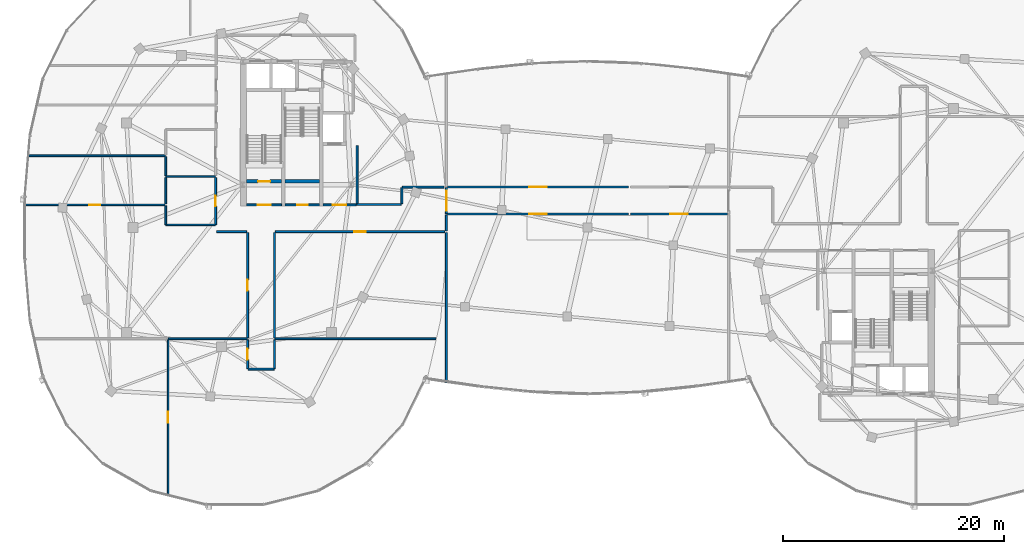
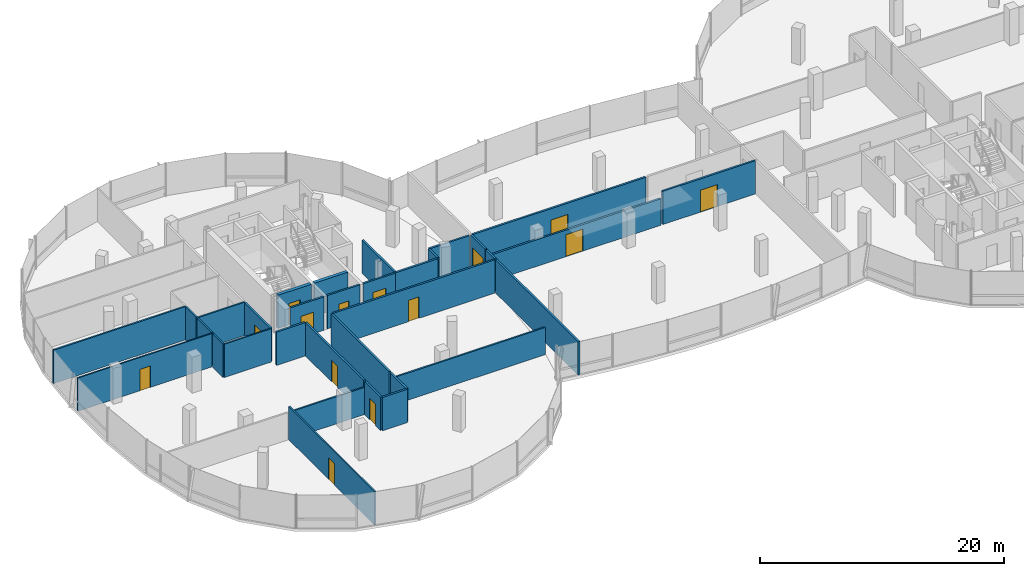
# One storey, part 14 of 25: 33 walls, 14 doors, 14 openings.
"""IFC4 building model written with IfcOpenShell, lengths in metres."""

from ifc_helpers import new_model, si_unit, direction, frame, frame_2d, origin, place, context, subcontext, project, spatial, rectangle, extrude, material, layer, layer_set, type_object, element, fill, save


model = new_model("IFC4")

# Units and contexts
model_context = context("Model", 3, precision=1e-05, world=origin(), true_north=direction((0.0, 1.0)))
body_context = subcontext(model_context, "Body", "Model", "MODEL_VIEW")
ifc_project = project(units=[si_unit("LENGTHUNIT", "METRE"), si_unit("AREAUNIT", "SQUARE_METRE"), si_unit("VOLUMEUNIT", "CUBIC_METRE"), si_unit("PLANEANGLEUNIT", "RADIAN"), si_unit("MASSUNIT", "GRAM", prefix="KILO"), si_unit("THERMODYNAMICTEMPERATUREUNIT", "KELVIN"), si_unit("POWERUNIT", "WATT")], contexts=[model_context])

# Site, building, storey
site_placement = place(None, origin())
site = spatial("IfcSite", under=ifc_project, at=site_placement, CompositionType="ELEMENT")
building_placement = place(site_placement, origin())
building = spatial("IfcBuilding", under=site, at=building_placement, Name="Cundina Bronze Exchange", CompositionType="ELEMENT")
storey_placement = place(building_placement, frame((0.0, 0.0, 254.0)))
storey = spatial("IfcBuildingStorey", under=building, at=storey_placement, Name="L67", CompositionType="ELEMENT", Elevation=254.0)

# Wall
ifc_material_1 = material(Name="Gypsum Fireboard Partition EI120")
ifc_layer_1 = layer(ifc_material_1, 0.179931640625, Name="Gypsum Fireboard Partition EI120")
ifc_layer_set_1 = layer_set([ifc_layer_1], Name="Gypsum Fireboard Partition EI120")
wall_type_1 = type_object("IfcWallType", Name="WL-COR-180", PredefinedType="PARTITIONING", material=ifc_layer_set_1)
wall_1_placement = place(storey_placement, frame((-20.889892578125, 2.14990234375, 0.0), z_axis=(0.0, 0.0, 1.0), x_axis=(0.0, 1.0, 0.0)))
element("IfcWall", 1, at=wall_1_placement, inside=storey, type_object=wall_type_1, Name="L67 W Firefighting Lobby Side Wall", PredefinedType="PARTITIONING", context=body_context, shape_type="SweptSolid", body=[
    extrude(rectangle(XDim=5.300048828125, YDim=0.179931640625, at=frame_2d((2.64990234375, 0.0))), origin(), (0.0, 0.0, 1.0), 3.340087890625),
])

# Wall, opening, door
wall_2_placement = place(storey_placement, frame((-23.97998046875, 2.06005859375, 0.0), z_axis=(0.0, 0.0, 1.0), x_axis=(1.0, 0.0, 0.0)))
wall_2 = element("IfcWall", 2, at=wall_2_placement, inside=storey, type_object=wall_type_1, Name="L67 W Firefighting Lobby Exit Wall", PredefinedType="PARTITIONING", context=body_context, shape_type="SweptSolid", body=[
    extrude(rectangle(XDim=3.0, YDim=0.179931640625, at=frame_2d((1.5, 0.0))), origin(), (0.0, 0.0, 1.0), 3.340087890625),
])
opening_1_placement = place(wall_2_placement, frame((0.89990234375, 0.0, 0.0)))
opening_1 = element("IfcOpeningElement", 3, at=opening_1_placement, cuts=wall_2, Name="Opening DF-01", PredefinedType="OPENING", context=body_context, shape_type="SweptSolid", body=[
    extrude(rectangle(XDim=1.199951171875, YDim=2.14990234375, at=frame_2d((0.60009765625, 1.074951171875))), frame((0.0, 0.099853515625, 0.0), z_axis=(0.0, -1.0, 0.0), x_axis=(1.0, 0.0, 0.0)), (0.0, 0.0, 1.0), 0.199951171875),
])
ifc_material_2 = material(Name="Steel ASTM A36 Painted", Category="steel")
door_type_1 = type_object("IfcDoorType", Name="DR-FFL-1200", OperationType="NOTDEFINED", PredefinedType="DOOR", material=ifc_material_2)
door_1_placement = place(opening_1_placement, origin())
door_1 = element("IfcDoor", 4, at=door_1_placement, inside=storey, type_object=door_type_1, Name="L67 W Firefighting Lobby Door", OperationType="SINGLE_SWING_RIGHT", OverallHeight=2.14990234375, OverallWidth=1.199951171875, PredefinedType="DOOR", context=body_context, shape_type="SweptSolid", body=[
    extrude(rectangle(XDim=1.199951171875, YDim=2.14990234375, at=frame_2d((0.60009765625, 1.074951171875))), frame((0.0, 0.02490234375, 0.0), z_axis=(0.0, -1.0, 0.0), x_axis=(1.0, 0.0, 0.0)), (0.0, 0.0, 1.0), 0.050048828125),
])
fill(opening_1, door_1)

wall_3_placement = place(storey_placement, frame((-30.89990234375, 2.06005859375, 0.0), z_axis=(0.0, 0.0, 1.0), x_axis=(1.0, 0.0, 0.0)))
wall_3 = element("IfcWall", 5, at=wall_3_placement, inside=storey, type_object=wall_type_1, Name="L67 W Stair Vestibule Exit Wall", PredefinedType="PARTITIONING", context=body_context, shape_type="SweptSolid", body=[
    extrude(rectangle(XDim=3.159912109375, YDim=0.179931640625, at=frame_2d((1.580078125, 0.0))), origin(), (0.0, 0.0, 1.0), 3.340087890625),
])
opening_2_placement = place(wall_3_placement, frame((0.97998046875, 0.0, 0.0)))
opening_2 = element("IfcOpeningElement", 6, at=opening_2_placement, cuts=wall_3, Name="Opening DF-01", PredefinedType="OPENING", context=body_context, shape_type="SweptSolid", body=[
    extrude(rectangle(XDim=1.199951171875, YDim=2.14990234375, at=frame_2d((0.60009765625, 1.074951171875))), frame((0.0, 0.099853515625, 0.0), z_axis=(0.0, -1.0, 0.0), x_axis=(1.0, 0.0, 0.0)), (0.0, 0.0, 1.0), 0.199951171875),
])
door_2_placement = place(opening_2_placement, origin())
door_2 = element("IfcDoor", 7, at=door_2_placement, inside=storey, type_object=door_type_1, Name="L67 W Stair Vestibule Door", OperationType="SINGLE_SWING_LEFT", OverallHeight=2.14990234375, OverallWidth=1.199951171875, PredefinedType="DOOR", context=body_context, shape_type="SweptSolid", body=[
    extrude(rectangle(XDim=1.199951171875, YDim=2.14990234375, at=frame_2d((0.60009765625, 1.074951171875))), frame((0.0, 0.02490234375, 0.0), z_axis=(0.0, -1.0, 0.0), x_axis=(1.0, 0.0, 0.0)), (0.0, 0.0, 1.0), 0.050048828125),
])
fill(opening_2, door_2)

wall_4_placement = place(storey_placement, frame((-27.419921875, 2.070068359375, 0.0), z_axis=(0.0, 0.0, 1.0), x_axis=(1.0, 0.0, 0.0)))
wall_4 = element("IfcWall", 8, at=wall_4_placement, inside=storey, type_object=wall_type_1, Name="L67 Interior Partition 004", PredefinedType="PARTITIONING", context=body_context, shape_type="SweptSolid", body=[
    extrude(rectangle(XDim=3.119873046875, YDim=0.179931640625, at=frame_2d((1.56005859375, 0.0))), origin(), (0.0, 0.0, 1.0), 3.340087890625),
])
opening_3_placement = place(wall_4_placement, frame((1.0849609375, 0.0, 0.0)))
opening_3 = element("IfcOpeningElement", 9, at=opening_3_placement, cuts=wall_4, Name="Opening DW-01", PredefinedType="OPENING", context=body_context, shape_type="SweptSolid", body=[
    extrude(rectangle(XDim=0.949951171875, YDim=2.10009765625, at=frame_2d((0.47509765625, 1.050048828125))), frame((0.0, 0.099853515625, 0.0), z_axis=(0.0, -1.0, 0.0), x_axis=(1.0, 0.0, 0.0)), (0.0, 0.0, 1.0), 0.199951171875),
])
ifc_material_3 = material(Name="Solid Andean Oak Timber Grade A", Category="wood")
door_type_2 = type_object("IfcDoorType", Name="DR-WC-950", OperationType="NOTDEFINED", PredefinedType="DOOR", material=ifc_material_3)
door_3_placement = place(opening_3_placement, origin())
door_3 = element("IfcDoor", 10, at=door_3_placement, inside=storey, type_object=door_type_2, Name="L67 Interior Door 004", OperationType="SINGLE_SWING_LEFT", OverallHeight=2.10009765625, OverallWidth=0.949951171875, PredefinedType="DOOR", context=body_context, shape_type="SweptSolid", body=[
    extrude(rectangle(XDim=0.949951171875, YDim=2.10009765625, at=frame_2d((0.47509765625, 1.050048828125))), frame((0.0, 0.02490234375, 0.0), z_axis=(0.0, -1.0, 0.0), x_axis=(1.0, 0.0, 0.0)), (0.0, 0.0, 1.0), 0.050048828125),
])
fill(opening_3, door_3)

wall_5_placement = place(storey_placement, frame((-33.719970703125, 0.27001953125, 0.0), z_axis=(0.0, 0.0, 1.0), x_axis=(0.0, 1.0, 0.0)))
wall_5 = element("IfcWall", 11, at=wall_5_placement, inside=storey, type_object=wall_type_1, Name="L67 Interior Partition 013", PredefinedType="PARTITIONING", context=body_context, shape_type="SweptSolid", body=[
    extrude(rectangle(XDim=4.260009765625, YDim=0.179931640625, at=frame_2d((2.1298828125, 0.0))), origin(), (0.0, 0.0, 1.0), 3.340087890625),
])
opening_4_placement = place(wall_5_placement, frame((1.655029296875, 0.0, 0.0)))
opening_4 = element("IfcOpeningElement", 12, at=opening_4_placement, cuts=wall_5, Name="Opening DW-01", PredefinedType="OPENING", context=body_context, shape_type="SweptSolid", body=[
    extrude(rectangle(XDim=0.949951171875, YDim=2.10009765625, at=frame_2d((0.47509765625, 1.050048828125))), frame((0.0, 0.099853515625, 0.0), z_axis=(0.0, -1.0, 0.0), x_axis=(1.0, 0.0, 0.0)), (0.0, 0.0, 1.0), 0.199951171875),
])
door_4_placement = place(opening_4_placement, origin())
door_4 = element("IfcDoor", 13, at=door_4_placement, inside=storey, type_object=door_type_2, Name="L67 Interior Door 013", OperationType="SINGLE_SWING_RIGHT", OverallHeight=2.10009765625, OverallWidth=0.949951171875, PredefinedType="DOOR", context=body_context, shape_type="SweptSolid", body=[
    extrude(rectangle(XDim=0.949951171875, YDim=2.10009765625, at=frame_2d((0.47509765625, 1.050048828125))), frame((0.0, 0.02490234375, 0.0), z_axis=(0.0, -1.0, 0.0), x_axis=(1.0, 0.0, 0.0)), (0.0, 0.0, 1.0), 0.050048828125),
])
fill(opening_4, door_4)

wall_6_placement = place(storey_placement, frame((-30.820068359375, -10.169921875, 0.0), z_axis=(0.0, 0.0, 1.0), x_axis=(0.0, -1.0, 0.0)))
wall_6 = element("IfcWall", 14, at=wall_6_placement, inside=storey, type_object=wall_type_1, Name="L67 Interior Partition 022", PredefinedType="PARTITIONING", context=body_context, shape_type="SweptSolid", body=[
    extrude(rectangle(XDim=2.608642578125, YDim=0.179931640625, at=frame_2d((1.30419921875, 0.0))), origin(), (0.0, 0.0, 1.0), 3.340087890625),
])
opening_5_placement = place(wall_6_placement, frame((0.80419921875, 0.0, 0.0)))
opening_5 = element("IfcOpeningElement", 15, at=opening_5_placement, cuts=wall_6, Name="Opening DO-01", PredefinedType="OPENING", context=body_context, shape_type="SweptSolid", body=[
    extrude(rectangle(XDim=1.0, YDim=2.14990234375, at=frame_2d((0.5, 1.074951171875))), frame((0.0, 0.099853515625, 0.0), z_axis=(0.0, -1.0, 0.0), x_axis=(1.0, 0.0, 0.0)), (0.0, 0.0, 1.0), 0.199951171875),
])
door_type_3 = type_object("IfcDoorType", Name="DR-OFF-1000", OperationType="NOTDEFINED", PredefinedType="DOOR", material=ifc_material_3)
door_5_placement = place(opening_5_placement, origin())
door_5 = element("IfcDoor", 16, at=door_5_placement, inside=storey, type_object=door_type_3, Name="L67 Interior Door 022", OperationType="SINGLE_SWING_LEFT", OverallHeight=2.14990234375, OverallWidth=1.0, PredefinedType="DOOR", context=body_context, shape_type="SweptSolid", body=[
    extrude(rectangle(XDim=1.0, YDim=2.14990234375, at=frame_2d((0.5, 1.074951171875))), frame((0.0, 0.02490234375, 0.0), z_axis=(0.0, -1.0, 0.0), x_axis=(1.0, 0.0, 0.0)), (0.0, 0.0, 1.0), 0.050048828125),
])
fill(opening_5, door_5)

# Walls
wall_7_placement = place(storey_placement, frame((-28.3798828125, -12.778564453125, 0.0), z_axis=(0.0, 0.0, 1.0), x_axis=(0.0, 1.0, 0.0)))
element("IfcWall", 17, at=wall_7_placement, inside=storey, type_object=wall_type_1, Name="L67 Interior Partition 023", PredefinedType="PARTITIONING", context=body_context, shape_type="SweptSolid", body=[
    extrude(rectangle(XDim=2.608642578125, YDim=0.179931640625, at=frame_2d((1.30419921875, 0.0))), origin(), (0.0, 0.0, 1.0), 3.340087890625),
])
wall_8_placement = place(storey_placement, frame((-30.778564453125, -12.820068359375, 0.0), z_axis=(0.0, 0.0, 1.0), x_axis=(1.0, 0.0, 0.0)))
element("IfcWall", 18, at=wall_8_placement, inside=storey, type_object=wall_type_1, Name="L67 Interior Partition 024", PredefinedType="PARTITIONING", context=body_context, shape_type="SweptSolid", body=[
    extrude(rectangle(XDim=2.357177734375, YDim=0.179931640625, at=frame_2d((1.1787109375, 0.0))), origin(), (0.0, 0.0, 1.0), 3.340087890625),
])

# Wall, opening, door
wall_9_placement = place(storey_placement, frame((-28.300048828125, -0.3701171875, 0.0), z_axis=(0.0, 0.0, 1.0), x_axis=(1.0, 0.0, 0.0)))
wall_9 = element("IfcWall", 19, at=wall_9_placement, inside=storey, type_object=wall_type_1, Name="L67 Interior Partition 025", PredefinedType="PARTITIONING", context=body_context, shape_type="SweptSolid", body=[
    extrude(rectangle(XDim=15.34912109375, YDim=0.179931640625, at=frame_2d((7.674560546875, 0.0))), origin(), (0.0, 0.0, 1.0), 3.340087890625),
])
opening_6_placement = place(wall_9_placement, frame((7.174560546875, 0.0, 0.0)))
opening_6 = element("IfcOpeningElement", 20, at=opening_6_placement, cuts=wall_9, Name="Opening DO-01", PredefinedType="OPENING", context=body_context, shape_type="SweptSolid", body=[
    extrude(rectangle(XDim=1.0, YDim=2.14990234375, at=frame_2d((0.5, 1.074951171875))), frame((0.0, 0.099853515625, 0.0), z_axis=(0.0, -1.0, 0.0), x_axis=(1.0, 0.0, 0.0)), (0.0, 0.0, 1.0), 0.199951171875),
])
door_6_placement = place(opening_6_placement, origin())
door_6 = element("IfcDoor", 21, at=door_6_placement, inside=storey, type_object=door_type_3, Name="L67 Interior Door 025", OperationType="SINGLE_SWING_LEFT", OverallHeight=2.14990234375, OverallWidth=1.0, PredefinedType="DOOR", context=body_context, shape_type="SweptSolid", body=[
    extrude(rectangle(XDim=1.0, YDim=2.14990234375, at=frame_2d((0.5, 1.074951171875))), frame((0.0, 0.02490234375, 0.0), z_axis=(0.0, -1.0, 0.0), x_axis=(1.0, 0.0, 0.0)), (0.0, 0.0, 1.0), 0.050048828125),
])
fill(opening_6, door_6)

# Wall
wall_10_placement = place(storey_placement, frame((-28.3798828125, -9.989990234375, 0.0), z_axis=(0.0, 0.0, 1.0), x_axis=(0.0, 1.0, 0.0)))
element("IfcWall", 22, at=wall_10_placement, inside=storey, type_object=wall_type_1, Name="L67 Interior Partition 026", PredefinedType="PARTITIONING", context=body_context, shape_type="SweptSolid", body=[
    extrude(rectangle(XDim=9.5400390625, YDim=0.179931640625, at=frame_2d((4.77001953125, 0.0))), origin(), (0.0, 0.0, 1.0), 3.340087890625),
])

# Wall, opening, door
wall_11_placement = place(storey_placement, frame((-30.820068359375, -0.449951171875, 0.0), z_axis=(0.0, 0.0, 1.0), x_axis=(0.0, -1.0, 0.0)))
wall_11 = element("IfcWall", 23, at=wall_11_placement, inside=storey, type_object=wall_type_1, Name="L67 Interior Partition 027", PredefinedType="PARTITIONING", context=body_context, shape_type="SweptSolid", body=[
    extrude(rectangle(XDim=9.5400390625, YDim=0.179931640625, at=frame_2d((4.77001953125, 0.0))), origin(), (0.0, 0.0, 1.0), 3.340087890625),
])
opening_7_placement = place(wall_11_placement, frame((4.27001953125, 0.0, 0.0)))
opening_7 = element("IfcOpeningElement", 24, at=opening_7_placement, cuts=wall_11, Name="Opening DO-01", PredefinedType="OPENING", context=body_context, shape_type="SweptSolid", body=[
    extrude(rectangle(XDim=1.0, YDim=2.14990234375, at=frame_2d((0.5, 1.074951171875))), frame((0.0, 0.099853515625, 0.0), z_axis=(0.0, -1.0, 0.0), x_axis=(1.0, 0.0, 0.0)), (0.0, 0.0, 1.0), 0.199951171875),
])
door_7_placement = place(opening_7_placement, origin())
door_7 = element("IfcDoor", 25, at=door_7_placement, inside=storey, type_object=door_type_3, Name="L67 Interior Door 027", OperationType="SINGLE_SWING_RIGHT", OverallHeight=2.14990234375, OverallWidth=1.0, PredefinedType="DOOR", context=body_context, shape_type="SweptSolid", body=[
    extrude(rectangle(XDim=1.0, YDim=2.14990234375, at=frame_2d((0.5, 1.074951171875))), frame((0.0, 0.02490234375, 0.0), z_axis=(0.0, -1.0, 0.0), x_axis=(1.0, 0.0, 0.0)), (0.0, 0.0, 1.0), 0.050048828125),
])
fill(opening_7, door_7)

# Walls
wall_12_placement = place(storey_placement, frame((-33.62841796875, -0.3701171875, 0.0), z_axis=(0.0, 0.0, 1.0), x_axis=(1.0, 0.0, 0.0)))
element("IfcWall", 26, at=wall_12_placement, inside=storey, type_object=wall_type_1, Name="L67 Interior Partition 028", PredefinedType="PARTITIONING", context=body_context, shape_type="SweptSolid", body=[
    extrude(rectangle(XDim=2.728515625, YDim=0.179931640625, at=frame_2d((1.3642578125, 0.0))), origin(), (0.0, 0.0, 1.0), 3.340087890625),
])
wall_13_placement = place(storey_placement, frame((-16.89990234375, 2.10009765625, 0.0), z_axis=(0.0, 0.0, 1.0), x_axis=(-1.0, 0.0, 0.0)))
element("IfcWall", 27, at=wall_13_placement, inside=storey, type_object=wall_type_1, Name="L67 Interior Partition 032", PredefinedType="PARTITIONING", context=body_context, shape_type="SweptSolid", body=[
    extrude(rectangle(XDim=4.02001953125, YDim=0.179931640625, at=frame_2d((2.010009765625, 0.0))), origin(), (0.0, 0.0, 1.0), 3.340087890625),
])
wall_14_placement = place(storey_placement, frame((-13.025634765625, 3.669921875, 0.0), z_axis=(0.0, 0.0, 1.0), x_axis=(-1.0, 0.0, 0.0)))
element("IfcWall", 28, at=wall_14_placement, inside=storey, type_object=wall_type_1, Name="L67 Interior Partition 033", PredefinedType="PARTITIONING", context=body_context, shape_type="SweptSolid", body=[
    extrude(rectangle(XDim=3.7529296875, YDim=0.179931640625, at=frame_2d((1.87646484375, 0.0))), origin(), (0.0, 0.0, 1.0), 3.340087890625),
])
wall_15_placement = place(storey_placement, frame((-16.820068359375, 3.62841796875, 0.0), z_axis=(0.0, 0.0, 1.0), x_axis=(0.0, -1.0, 0.0)))
element("IfcWall", 29, at=wall_15_placement, inside=storey, type_object=wall_type_1, Name="L67 Interior Partition 036", PredefinedType="PARTITIONING", context=body_context, shape_type="SweptSolid", body=[
    extrude(rectangle(XDim=1.448486328125, YDim=0.179931640625, at=frame_2d((0.72412109375, 0.0))), origin(), (0.0, 0.0, 1.0), 3.340087890625),
])

# Wall, opening, door
wall_16_placement = place(storey_placement, frame((-12.6884765625, 1.22998046875, 0.0), z_axis=(0.0, 0.0, 1.0), x_axis=(1.0, 0.0, 0.0)))
wall_16 = element("IfcWall", 30, at=wall_16_placement, inside=storey, type_object=wall_type_1, Name="L67 Interior Partition 070", PredefinedType="PARTITIONING", context=body_context, shape_type="SweptSolid", body=[
    extrude(rectangle(XDim=16.3935546875, YDim=0.179931640625, at=frame_2d((8.19677734375, 0.0))), origin(), (0.0, 0.0, 1.0), 2.6630859375),
])
opening_8_placement = place(wall_16_placement, frame((7.396728515625, 0.0, 0.0)))
opening_8 = element("IfcOpeningElement", 31, at=opening_8_placement, cuts=wall_16, Name="Opening DO-02", PredefinedType="OPENING", context=body_context, shape_type="SweptSolid", body=[
    extrude(rectangle(XDim=1.60009765625, YDim=2.199951171875, at=frame_2d((0.800048828125, 1.10009765625))), frame((0.0, 0.099853515625, 0.0), z_axis=(0.0, -1.0, 0.0), x_axis=(1.0, 0.0, 0.0)), (0.0, 0.0, 1.0), 0.199951171875),
])
door_type_4 = type_object("IfcDoorType", Name="DR-TRD-1600", OperationType="NOTDEFINED", PredefinedType="DOOR", material=ifc_material_3)
door_8_placement = place(opening_8_placement, origin())
door_8 = element("IfcDoor", 32, at=door_8_placement, inside=storey, type_object=door_type_4, Name="L67 Interior Door 070", OperationType="SINGLE_SWING_LEFT", OverallHeight=2.199951171875, OverallWidth=1.60009765625, PredefinedType="DOOR", context=body_context, shape_type="SweptSolid", body=[
    extrude(rectangle(XDim=1.60009765625, YDim=2.199951171875, at=frame_2d((0.800048828125, 1.10009765625))), frame((0.0, 0.02490234375, 0.0), z_axis=(0.0, -1.0, 0.0), x_axis=(1.0, 0.0, 0.0)), (0.0, 0.0, 1.0), 0.050048828125),
])
fill(opening_8, door_8)

wall_17_placement = place(storey_placement, frame((3.89501953125, 1.22998046875, 0.0), z_axis=(0.0, 0.0, 1.0), x_axis=(1.0, 0.0, 0.0)))
wall_17 = element("IfcWall", 33, at=wall_17_placement, inside=storey, type_object=wall_type_1, Name="L67 Interior Partition 071", PredefinedType="PARTITIONING", context=body_context, shape_type="SweptSolid", body=[
    extrude(rectangle(XDim=8.79345703125, YDim=0.179931640625, at=frame_2d((4.396728515625, 0.0))), origin(), (0.0, 0.0, 1.0), 3.340087890625),
])
opening_9_placement = place(wall_17_placement, frame((3.5966796875, 0.0, 0.0)))
opening_9 = element("IfcOpeningElement", 34, at=opening_9_placement, cuts=wall_17, Name="Opening DO-02", PredefinedType="OPENING", context=body_context, shape_type="SweptSolid", body=[
    extrude(rectangle(XDim=1.60009765625, YDim=2.199951171875, at=frame_2d((0.800048828125, 1.10009765625))), frame((0.0, 0.099853515625, 0.0), z_axis=(0.0, -1.0, 0.0), x_axis=(1.0, 0.0, 0.0)), (0.0, 0.0, 1.0), 0.199951171875),
])
door_9_placement = place(opening_9_placement, origin())
door_9 = element("IfcDoor", 35, at=door_9_placement, inside=storey, type_object=door_type_4, Name="L67 Interior Door 071", OperationType="SINGLE_SWING_RIGHT", OverallHeight=2.199951171875, OverallWidth=1.60009765625, PredefinedType="DOOR", context=body_context, shape_type="SweptSolid", body=[
    extrude(rectangle(XDim=1.60009765625, YDim=2.199951171875, at=frame_2d((0.800048828125, 1.10009765625))), frame((0.0, 0.02490234375, 0.0), z_axis=(0.0, -1.0, 0.0), x_axis=(1.0, 0.0, 0.0)), (0.0, 0.0, 1.0), 0.050048828125),
])
fill(opening_9, door_9)

wall_18_placement = place(storey_placement, frame((3.705078125, 3.669921875, 0.0), z_axis=(0.0, 0.0, 1.0), x_axis=(-1.0, 0.0, 0.0)))
wall_18 = element("IfcWall", 36, at=wall_18_placement, inside=storey, type_object=wall_type_1, Name="L67 Interior Partition 073", PredefinedType="PARTITIONING", context=body_context, shape_type="SweptSolid", body=[
    extrude(rectangle(XDim=16.3935546875, YDim=0.179931640625, at=frame_2d((8.19677734375, 0.0))), origin(), (0.0, 0.0, 1.0), 3.340087890625),
])
opening_10_placement = place(wall_18_placement, frame((7.396728515625, 0.0, 0.0)))
opening_10 = element("IfcOpeningElement", 37, at=opening_10_placement, cuts=wall_18, Name="Opening DO-02", PredefinedType="OPENING", context=body_context, shape_type="SweptSolid", body=[
    extrude(rectangle(XDim=1.60009765625, YDim=2.199951171875, at=frame_2d((0.800048828125, 1.10009765625))), frame((0.0, 0.099853515625, 0.0), z_axis=(0.0, -1.0, 0.0), x_axis=(1.0, 0.0, 0.0)), (0.0, 0.0, 1.0), 0.199951171875),
])
door_10_placement = place(opening_10_placement, origin())
door_10 = element("IfcDoor", 38, at=door_10_placement, inside=storey, type_object=door_type_4, Name="L67 Interior Door 073", OperationType="SINGLE_SWING_RIGHT", OverallHeight=2.199951171875, OverallWidth=1.60009765625, PredefinedType="DOOR", context=body_context, shape_type="SweptSolid", body=[
    extrude(rectangle(XDim=1.60009765625, YDim=2.199951171875, at=frame_2d((0.800048828125, 1.10009765625))), frame((0.0, 0.02490234375, 0.0), z_axis=(0.0, -1.0, 0.0), x_axis=(1.0, 0.0, 0.0)), (0.0, 0.0, 1.0), 0.050048828125),
])
fill(opening_10, door_10)

# Walls
wall_19_placement = place(storey_placement, frame((-12.800048828125, -14.043701171875, 0.0), z_axis=(0.0, 0.0, 1.0), x_axis=(0.0, 1.0, 0.0)))
element("IfcWall", 39, at=wall_19_placement, inside=storey, type_object=wall_type_1, Name="L67 Interior Partition 074", PredefinedType="PARTITIONING", context=body_context, shape_type="SweptSolid", body=[
    extrude(rectangle(XDim=13.588623046875, YDim=0.179931640625, at=frame_2d((6.79443359375, 0.0))), origin(), (0.0, 0.0, 1.0), 3.340087890625),
])
wall_20_placement = place(storey_placement, frame((-12.800048828125, -0.284912109375, 0.0), z_axis=(0.0, 0.0, 1.0), x_axis=(0.0, 1.0, 0.0)))
element("IfcWall", 40, at=wall_20_placement, inside=storey, type_object=wall_type_1, Name="L67 Interior Partition 075", PredefinedType="PARTITIONING", context=body_context, shape_type="SweptSolid", body=[
    extrude(rectangle(XDim=1.44482421875, YDim=0.179931640625, at=frame_2d((0.722412109375, 0.0))), origin(), (0.0, 0.0, 1.0), 3.340087890625),
])

# Wall, opening, door
wall_21_placement = place(storey_placement, frame((-12.800048828125, 1.280029296875, 0.0), z_axis=(0.0, 0.0, 1.0), x_axis=(0.0, 1.0, 0.0)))
wall_21 = element("IfcWall", 41, at=wall_21_placement, inside=storey, type_object=wall_type_1, Name="L67 Interior Partition 077", PredefinedType="PARTITIONING", context=body_context, shape_type="SweptSolid", body=[
    extrude(rectangle(XDim=2.340087890625, YDim=0.179931640625, at=frame_2d((1.169921875, 0.0))), origin(), (0.0, 0.0, 1.0), 3.340087890625),
])
opening_11_placement = place(wall_21_placement, frame((0.27001953125, 0.0, 0.0)))
opening_11 = element("IfcOpeningElement", 42, at=opening_11_placement, cuts=wall_21, Name="Opening DB-01", PredefinedType="OPENING", context=body_context, shape_type="SweptSolid", body=[
    extrude(rectangle(XDim=1.800048828125, YDim=2.25, at=frame_2d((0.89990234375, 1.125))), frame((0.0, 0.099853515625, 0.0), z_axis=(0.0, -1.0, 0.0), x_axis=(1.0, 0.0, 0.0)), (0.0, 0.0, 1.0), 0.199951171875),
])
door_type_5 = type_object("IfcDoorType", Name="DR-BRG-1800", OperationType="NOTDEFINED", PredefinedType="DOOR", material=ifc_material_2)
door_11_placement = place(opening_11_placement, origin())
door_11 = element("IfcDoor", 43, at=door_11_placement, inside=storey, type_object=door_type_5, Name="L67 Interior Door 077", OperationType="DOUBLE_DOOR_SINGLE_SWING", OverallHeight=2.25, OverallWidth=1.800048828125, PredefinedType="DOOR", context=body_context, shape_type="SweptSolid", body=[
    extrude(rectangle(XDim=1.800048828125, YDim=2.25, at=frame_2d((0.89990234375, 1.125))), frame((0.0, 0.02490234375, 0.0), z_axis=(0.0, -1.0, 0.0), x_axis=(1.0, 0.0, 0.0)), (0.0, 0.0, 1.0), 0.050048828125),
])
fill(opening_11, door_11)

ifc_material_4 = material(Name="Gypsum Acoustic Partition EI60")
ifc_layer_2 = layer(ifc_material_4, 0.125, Name="Gypsum Acoustic Partition EI60")
ifc_layer_set_2 = layer_set([ifc_layer_2], Name="Gypsum Acoustic Partition EI60")
wall_type_2 = type_object("IfcWallType", Name="WL-OFF-125", PredefinedType="PARTITIONING", material=ifc_layer_set_2)
wall_22_placement = place(storey_placement, frame((-38.030029296875, -10.169921875, 0.0), z_axis=(0.0, 0.0, 1.0), x_axis=(0.0, -1.0, 0.0)))
wall_22 = element("IfcWall", 44, at=wall_22_placement, inside=storey, type_object=wall_type_2, Name="L67 Interior Partition 037", PredefinedType="PARTITIONING", context=body_context, shape_type="SweptSolid", body=[
    extrude(rectangle(XDim=14.0810546875, YDim=0.125, at=frame_2d((7.04052734375, 0.0))), origin(), (0.0, 0.0, 1.0), 3.340087890625),
])
opening_12_placement = place(wall_22_placement, frame((6.54052734375, 0.0, 0.0)))
opening_12 = element("IfcOpeningElement", 45, at=opening_12_placement, cuts=wall_22, Name="Opening DO-01", PredefinedType="OPENING", context=body_context, shape_type="SweptSolid", body=[
    extrude(rectangle(XDim=1.0, YDim=2.14990234375, at=frame_2d((0.5, 1.074951171875))), frame((0.0, 0.072509765625, 0.0), z_axis=(0.0, -1.0, 0.0), x_axis=(1.0, 0.0, 0.0)), (0.0, 0.0, 1.0), 0.14501953125),
])
door_12_placement = place(opening_12_placement, origin())
door_12 = element("IfcDoor", 46, at=door_12_placement, inside=storey, type_object=door_type_3, Name="L67 Interior Door 037", OperationType="SINGLE_SWING_RIGHT", OverallHeight=2.14990234375, OverallWidth=1.0, PredefinedType="DOOR", context=body_context, shape_type="SweptSolid", body=[
    extrude(rectangle(XDim=1.0, YDim=2.14990234375, at=frame_2d((0.5, 1.074951171875))), frame((0.0, 0.02490234375, 0.0), z_axis=(0.0, -1.0, 0.0), x_axis=(1.0, 0.0, 0.0)), (0.0, 0.0, 1.0), 0.050048828125),
])
fill(opening_12, door_12)

wall_23_placement = place(storey_placement, frame((-38.320068359375, 2.070068359375, 0.0), z_axis=(0.0, 0.0, 1.0), x_axis=(-1.0, 0.0, 0.0)))
wall_23 = element("IfcWall", 47, at=wall_23_placement, inside=storey, type_object=wall_type_2, Name="L67 Interior Partition 038", PredefinedType="PARTITIONING", context=body_context, shape_type="SweptSolid", body=[
    extrude(rectangle(XDim=12.72900390625, YDim=0.125, at=frame_2d((6.364501953125, 0.0))), origin(), (0.0, 0.0, 1.0), 3.340087890625),
])
opening_13_placement = place(wall_23_placement, frame((5.864501953125, 0.0, 0.0)))
opening_13 = element("IfcOpeningElement", 48, at=opening_13_placement, cuts=wall_23, Name="Opening DO-01", PredefinedType="OPENING", context=body_context, shape_type="SweptSolid", body=[
    extrude(rectangle(XDim=1.0, YDim=2.14990234375, at=frame_2d((0.5, 1.074951171875))), frame((0.0, 0.072509765625, 0.0), z_axis=(0.0, -1.0, 0.0), x_axis=(1.0, 0.0, 0.0)), (0.0, 0.0, 1.0), 0.14501953125),
])
door_13_placement = place(opening_13_placement, origin())
door_13 = element("IfcDoor", 49, at=door_13_placement, inside=storey, type_object=door_type_3, Name="L67 Interior Door 038", OperationType="SINGLE_SWING_LEFT", OverallHeight=2.14990234375, OverallWidth=1.0, PredefinedType="DOOR", context=body_context, shape_type="SweptSolid", body=[
    extrude(rectangle(XDim=1.0, YDim=2.14990234375, at=frame_2d((0.5, 1.074951171875))), frame((0.0, 0.02490234375, 0.0), z_axis=(0.0, -1.0, 0.0), x_axis=(1.0, 0.0, 0.0)), (0.0, 0.0, 1.0), 0.050048828125),
])
fill(opening_13, door_13)

ifc_material_5 = material(Name="Concrete C50/60", Category="concrete")
ifc_layer_3 = layer(ifc_material_5, 0.300048828125, Name="Concrete C50/60", Category="concrete")
ifc_layer_set_3 = layer_set([ifc_layer_3], Name="Concrete C50/60")
wall_type_3 = type_object("IfcWallType", Name="WL-SHFT-300", PredefinedType="SHEAR", material=ifc_layer_set_3)
wall_24_placement = place(storey_placement, frame((-30.89990234375, 4.199951171875, 0.0), z_axis=(0.0, 0.0, 1.0), x_axis=(1.0, 0.0, 0.0)))
wall_24 = element("IfcWall", 50, at=wall_24_placement, inside=storey, type_object=wall_type_3, Name="L67 Stair W1 Landing Wall", PredefinedType="SHEAR", context=body_context, shape_type="SweptSolid", body=[
    extrude(rectangle(XDim=3.159912109375, YDim=0.300048828125, at=frame_2d((1.580078125, 0.0))), origin(), (0.0, 0.0, 1.0), 3.340087890625),
])
opening_14_placement = place(wall_24_placement, frame((1.030029296875, 0.0, 0.0)))
opening_14 = element("IfcOpeningElement", 51, at=opening_14_placement, cuts=wall_24, Name="Opening DS-01", PredefinedType="OPENING", context=body_context, shape_type="SweptSolid", body=[
    extrude(rectangle(XDim=1.10009765625, YDim=2.14990234375, at=frame_2d((0.550048828125, 1.074951171875))), frame((0.0, 0.159912109375, 0.0), z_axis=(0.0, -1.0, 0.0), x_axis=(1.0, 0.0, 0.0)), (0.0, 0.0, 1.0), 0.320068359375),
])
door_type_6 = type_object("IfcDoorType", Name="DR-STR-1100", OperationType="NOTDEFINED", PredefinedType="DOOR", material=ifc_material_2)
door_14_placement = place(opening_14_placement, origin())
door_14 = element("IfcDoor", 52, at=door_14_placement, inside=storey, type_object=door_type_6, Name="L67 Smokeproof Stair W1 Door", OperationType="SINGLE_SWING_RIGHT", OverallHeight=2.14990234375, OverallWidth=1.10009765625, PredefinedType="DOOR", context=body_context, shape_type="SweptSolid", body=[
    extrude(rectangle(XDim=1.10009765625, YDim=2.14990234375, at=frame_2d((0.550048828125, 1.074951171875))), frame((0.0, 0.02490234375, 0.0), z_axis=(0.0, -1.0, 0.0), x_axis=(1.0, 0.0, 0.0)), (0.0, 0.0, 1.0), 0.050048828125),
])
fill(opening_14, door_14)

# Walls
wall_25_placement = place(storey_placement, frame((-27.43994140625, 4.199951171875, 0.0), z_axis=(0.0, 0.0, 1.0), x_axis=(1.0, 0.0, 0.0)))
element("IfcWall", 53, at=wall_25_placement, inside=storey, type_object=wall_type_3, Name="L67 Stair W2 Far Shaft Wall", PredefinedType="SHEAR", context=body_context, shape_type="SweptSolid", body=[
    extrude(rectangle(XDim=3.159912109375, YDim=0.300048828125, at=frame_2d((1.580078125, 0.0))), origin(), (0.0, 0.0, 1.0), 3.340087890625),
])
ifc_layer_4 = layer(ifc_material_4, 0.14990234375, Name="Gypsum Acoustic Partition EI60")
ifc_layer_set_4 = layer_set([ifc_layer_4], Name="Gypsum Acoustic Partition EI60")
wall_type_4 = type_object("IfcWallType", Name="WL-TEN-150", PredefinedType="PARTITIONING", material=ifc_layer_set_4)
wall_26_placement = place(storey_placement, frame((-37.9951171875, -10.080078125, 0.0), z_axis=(0.0, 0.0, 1.0), x_axis=(1.0, 0.0, 0.0)))
element("IfcWall", 54, at=wall_26_placement, inside=storey, type_object=wall_type_4, Name="L67 Interior Partition 016", PredefinedType="PARTITIONING", context=body_context, shape_type="SweptSolid", body=[
    extrude(rectangle(XDim=7.14501953125, YDim=0.14990234375, at=frame_2d((3.572509765625, 0.0))), origin(), (0.0, 0.0, 1.0), 2.72412109375),
])
wall_27_placement = place(storey_placement, frame((-28.35009765625, -10.080078125, 0.0), z_axis=(0.0, 0.0, 1.0), x_axis=(1.0, 0.0, 0.0)))
element("IfcWall", 55, at=wall_27_placement, inside=storey, type_object=wall_type_4, Name="L67 Interior Partition 017", PredefinedType="PARTITIONING", context=body_context, shape_type="SweptSolid", body=[
    extrude(rectangle(XDim=14.594970703125, YDim=0.14990234375, at=frame_2d((7.29736328125, 0.0))), origin(), (0.0, 0.0, 1.0), 2.72412109375),
])
wall_28_placement = place(storey_placement, frame((-50.7900390625, 6.52001953125, 0.0), z_axis=(0.0, 0.0, 1.0), x_axis=(1.0, 0.0, 0.0)))
element("IfcWall", 56, at=wall_28_placement, inside=storey, type_object=wall_type_4, Name="L67 Interior Partition 018", PredefinedType="PARTITIONING", context=body_context, shape_type="SweptSolid", body=[
    extrude(rectangle(XDim=12.52001953125, YDim=0.14990234375, at=frame_2d((6.260009765625, 0.0))), origin(), (0.0, 0.0, 1.0), 3.340087890625),
])
ifc_material_6 = material(Name="Moisture-Resistant Masonry Block Grade M15", Category="masonry")
ifc_layer_5 = layer(ifc_material_6, 0.139892578125, Name="Moisture-Resistant Masonry Block Grade M15", Category="masonry")
ifc_layer_set_5 = layer_set([ifc_layer_5], Name="Moisture-Resistant Masonry Block Grade M15")
wall_type_5 = type_object("IfcWallType", Name="WL-WET-140", PredefinedType="PARTITIONING", material=ifc_layer_set_5)
wall_29_placement = place(storey_placement, frame((-38.239990234375, 0.27001953125, 0.0), z_axis=(0.0, 0.0, 1.0), x_axis=(0.0, 1.0, 0.0)))
element("IfcWall", 57, at=wall_29_placement, inside=storey, type_object=wall_type_5, Name="L67 Interior Partition 006", PredefinedType="PARTITIONING", context=body_context, shape_type="SweptSolid", body=[
    extrude(rectangle(XDim=1.715087890625, YDim=0.139892578125, at=frame_2d((0.857421875, 0.0))), origin(), (0.0, 0.0, 1.0), 3.340087890625),
])
wall_30_placement = place(storey_placement, frame((-38.239990234375, 2.155029296875, 0.0), z_axis=(0.0, 0.0, 1.0), x_axis=(0.0, 1.0, 0.0)))
element("IfcWall", 58, at=wall_30_placement, inside=storey, type_object=wall_type_5, Name="L67 Interior Partition 007", PredefinedType="PARTITIONING", context=body_context, shape_type="SweptSolid", body=[
    extrude(rectangle(XDim=2.389892578125, YDim=0.139892578125, at=frame_2d((1.19482421875, 0.0))), origin(), (0.0, 0.0, 1.0), 3.340087890625),
])
wall_31_placement = place(storey_placement, frame((-38.239990234375, 4.715087890625, 0.0), z_axis=(0.0, 0.0, 1.0), x_axis=(0.0, 1.0, 0.0)))
element("IfcWall", 59, at=wall_31_placement, inside=storey, type_object=wall_type_5, Name="L67 Interior Partition 008", PredefinedType="PARTITIONING", context=body_context, shape_type="SweptSolid", body=[
    extrude(rectangle(XDim=1.719970703125, YDim=0.139892578125, at=frame_2d((0.85986328125, 0.0))), origin(), (0.0, 0.0, 1.0), 3.340087890625),
])
for number, where, z_axis, x_axis, name in (
    (60, (-38.219970703125, 0.25, 0.0), (0.0, 0.0, 1.0), (1.0, 0.0, 0.0), "L67 Interior Partition 010"),
    (61, (-38.219970703125, 4.6298828125, 0.0), (0.0, 0.0, 1.0), (1.0, 0.0, 0.0), "L67 Interior Partition 011"),
):
    element("IfcWall", number, at=place(storey_placement, frame(where, z_axis=z_axis, x_axis=x_axis)), inside=storey, type_object=wall_type_5, Name=name, PredefinedType="PARTITIONING", context=body_context, shape_type="SweptSolid", body=[
        extrude(rectangle(XDim=4.47998046875, YDim=0.139892578125, at=frame_2d((2.239990234375, 0.0))), origin(), (0.0, 0.0, 1.0), 3.340087890625),
    ])

save(model, "model.ifc")
